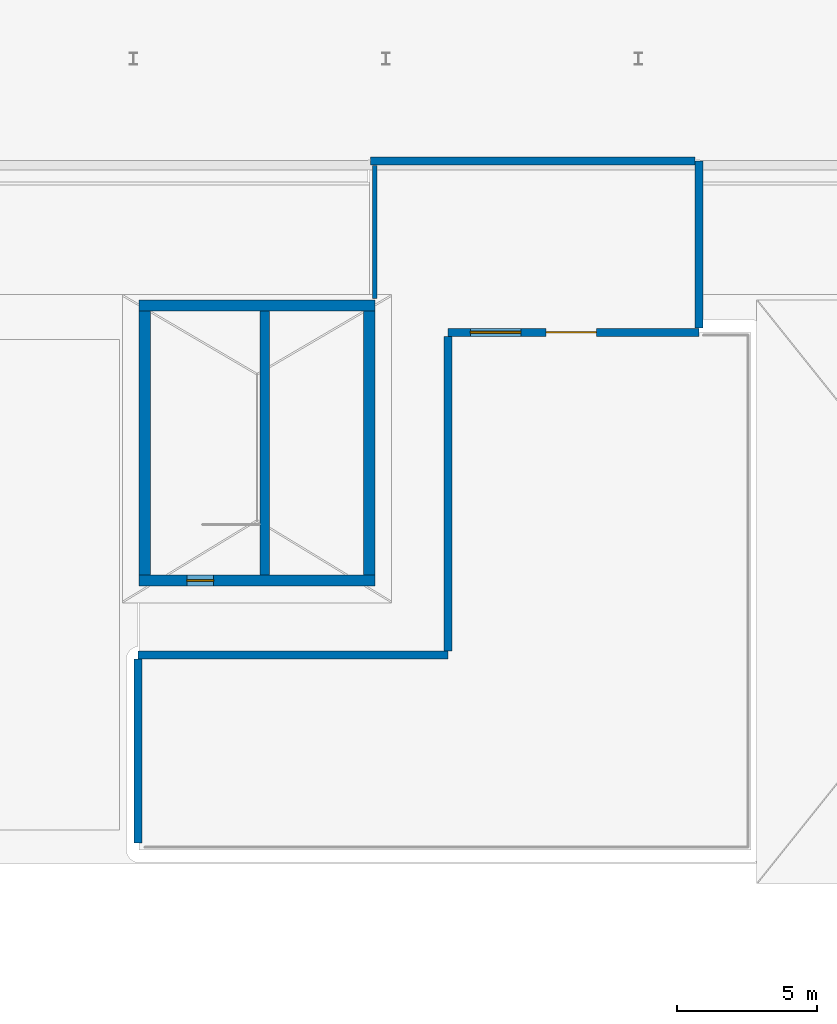
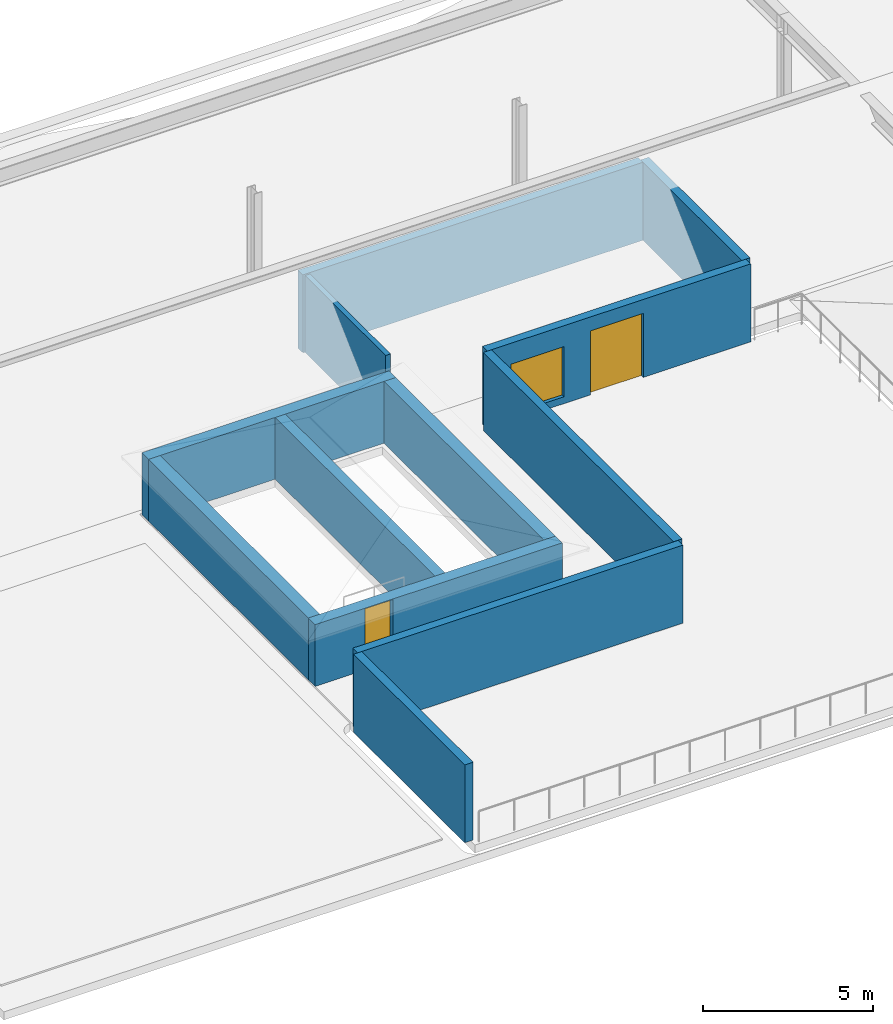
# One storey, part 22 of 34: 12 walls, 2 doors, 1 window, 3 openings.
"""IFC4 building model written with IfcOpenShell, lengths in metres."""

from ifc_helpers import new_model, si_unit, direction, frame, frame_2d, origin, place, context, subcontext, project, spatial, rectangle, extrude, material, layer, layer_set, type_object, element, fill, save


model = new_model("IFC4")

# Units and contexts
model_context = context("Model", 3, precision=1e-05, world=origin(), true_north=direction((0.0, 1.0)))
body_context = subcontext(model_context, "Body", "Model", "MODEL_VIEW")
ifc_project = project(units=[si_unit("LENGTHUNIT", "METRE"), si_unit("AREAUNIT", "SQUARE_METRE"), si_unit("VOLUMEUNIT", "CUBIC_METRE"), si_unit("PLANEANGLEUNIT", "RADIAN"), si_unit("MASSUNIT", "GRAM", prefix="KILO")], contexts=[model_context])

# Site, building, storey
site_placement = place(None, origin())
site = spatial("IfcSite", under=ifc_project, at=site_placement, CompositionType="ELEMENT")
building_placement = place(site_placement, origin())
building = spatial("IfcBuilding", under=site, at=building_placement, Name="Sollismere Congress Hotel", CompositionType="ELEMENT")
storey_placement = place(building_placement, frame((0.0, 0.0, 23.39990234375)))
storey = spatial("IfcBuildingStorey", under=building, at=storey_placement, Name="L05", CompositionType="ELEMENT", Elevation=23.39990234375)

# Wall, openings, door, window
ifc_material_1 = material(Name="Colorado Buff Sandstone Rainscreen on Insulated Backup", Category="masonry")
ifc_layer_1 = layer(ifc_material_1, 0.284912109375, Name="Colorado Buff Sandstone Rainscreen on Insulated Backup")
ifc_layer_set_1 = layer_set([ifc_layer_1], Name="Colorado Buff Sandstone Rainscreen on Insulated Backup")
wall_type_1 = type_object("IfcWallType", Name="WL-EXT285", PredefinedType="STANDARD", material=ifc_layer_set_1)
wall_1_placement = place(storey_placement, frame((87.199951171875, 85.25, 0.0), z_axis=(0.0, 0.0, 1.0), x_axis=(1.0, 0.0, 0.0)))
wall_1 = element("IfcWall", 1, at=wall_1_placement, inside=storey, type_object=wall_type_1, Name="Exterior wall EW-L05-088", PredefinedType="STANDARD", context=body_context, shape_type="SweptSolid", body=[
    extrude(rectangle(XDim=8.949951171875, YDim=0.284912109375, at=frame_2d((4.47509765625, 0.0))), origin(), (0.0, 0.0, 1.0), 2.800048828125),
])
opening_1_placement = place(wall_1_placement, frame((3.5, 0.0, 0.0)))
opening_1 = element("IfcOpeningElement", 2, at=opening_1_placement, cuts=wall_1, Name="Opening D-L05-GD2", PredefinedType="OPENING", context=body_context, shape_type="SweptSolid", body=[
    extrude(rectangle(XDim=1.800048828125, YDim=2.300048828125, at=frame_2d((0.89990234375, 1.14990234375))), frame((0.0, 0.15234375, 0.0), z_axis=(0.0, -1.0, 0.0), x_axis=(1.0, 0.0, 0.0)), (0.0, 0.0, 1.0), 0.304931640625),
])
opening_2_placement = place(wall_1_placement, frame((0.800048828125, 0.0, 0.25)))
opening_2 = element("IfcOpeningElement", 3, at=opening_2_placement, cuts=wall_1, Name="Opening W-L05-095", PredefinedType="OPENING", context=body_context, shape_type="SweptSolid", body=[
    extrude(rectangle(XDim=1.800048828125, YDim=1.800048828125, at=frame_2d((0.89990234375, 0.89990234375))), frame((0.0, 0.15234375, 0.0), z_axis=(0.0, -1.0, 0.0), x_axis=(1.0, 0.0, 0.0)), (0.0, 0.0, 1.0), 0.304931640625),
])
ifc_material_2 = material(Name="Thermally Broken Bronze-Anodized Aluminum & Laminated Glass", Category="aluminium")
door_type_1 = type_object("IfcDoorType", Name="DR-EX180", OperationType="DOUBLE_DOOR_SINGLE_SWING", PredefinedType="DOOR", material=ifc_material_2)
door_1_placement = place(opening_1_placement, origin())
door_1 = element("IfcDoor", 4, at=door_1_placement, inside=storey, type_object=door_type_1, Name="DOR-D-L05-GD2", OperationType="DOUBLE_DOOR_SINGLE_SWING", OverallHeight=2.300048828125, OverallWidth=1.800048828125, PredefinedType="DOOR", context=body_context, shape_type="SweptSolid", body=[
    extrude(rectangle(XDim=1.800048828125, YDim=2.300048828125, at=frame_2d((0.89990234375, 1.14990234375))), frame((0.0, 0.02490234375, 0.0), z_axis=(0.0, -1.0, 0.0), x_axis=(1.0, 0.0, 0.0)), (0.0, 0.0, 1.0), 0.050048828125),
])
fill(opening_1, door_1)
ifc_material_3 = material(Name="Thermally Broken Bronze Aluminum & Low-E Glass", Category="aluminium")
window_type = type_object("IfcWindowType", Name="WN-P180x180", PartitioningType="SINGLE_PANEL", PredefinedType="WINDOW", material=ifc_material_3)
window_placement = place(opening_2_placement, origin())
window = element("IfcWindow", 5, at=window_placement, inside=storey, type_object=window_type, Name="WIN-W-L05-095", OverallHeight=1.800048828125, OverallWidth=1.800048828125, PartitioningType="SINGLE_PANEL", PredefinedType="WINDOW", context=body_context, shape_type="SweptSolid", body=[
    extrude(rectangle(XDim=1.800048828125, YDim=1.800048828125, at=frame_2d((0.89990234375, 0.89990234375))), frame((0.0, 0.030029296875, 0.0), z_axis=(0.0, -1.0, 0.0), x_axis=(1.0, 0.0, 0.0)), (0.0, 0.0, 1.0), 0.06005859375),
])
fill(opening_2, window)

# Walls
wall_2_placement = place(storey_placement, frame((76.14990234375, 73.75, 0.0), z_axis=(0.0, 0.0, 1.0), x_axis=(1.0, 0.0, 0.0)))
element("IfcWall", 6, at=wall_2_placement, inside=storey, type_object=wall_type_1, Name="Exterior wall EW-L05-089", PredefinedType="STANDARD", context=body_context, shape_type="SweptSolid", body=[
    extrude(rectangle(XDim=11.050048828125, YDim=0.284912109375, at=frame_2d((5.52490234375, 0.0))), origin(), (0.0, 0.0, 1.0), 2.800048828125),
])
wall_3_placement = place(storey_placement, frame((87.199951171875, 73.89453125, 0.0), z_axis=(0.0, 0.0, 1.0), x_axis=(0.0, 1.0, 0.0)))
element("IfcWall", 7, at=wall_3_placement, inside=storey, type_object=wall_type_1, Name="Exterior wall EW-L05-090", PredefinedType="STANDARD", context=body_context, shape_type="SweptSolid", body=[
    extrude(rectangle(XDim=11.2109375, YDim=0.284912109375, at=frame_2d((5.60546875, 0.0))), origin(), (0.0, 0.0, 1.0), 2.800048828125),
])
wall_4_placement = place(storey_placement, frame((96.14990234375, 85.39453125, 0.0), z_axis=(0.0, 0.0, 1.0), x_axis=(0.0, 1.0, 0.0)))
element("IfcWall", 8, at=wall_4_placement, inside=storey, type_object=wall_type_1, Name="Exterior wall EW-L05-091", PredefinedType="STANDARD", context=body_context, shape_type="SweptSolid", body=[
    extrude(rectangle(XDim=5.95556640625, YDim=0.284912109375, at=frame_2d((2.977783203125, 0.0))), origin(), (0.0, 0.0, 1.0), 2.800048828125),
])
wall_5_placement = place(storey_placement, frame((96.005615234375, 91.35009765625, 0.0), z_axis=(0.0, 0.0, 1.0), x_axis=(-1.0, 0.0, 0.0)))
element("IfcWall", 9, at=wall_5_placement, inside=storey, type_object=wall_type_1, Name="Exterior wall EW-L05-092", PredefinedType="STANDARD", context=body_context, shape_type="SweptSolid", body=[
    extrude(rectangle(XDim=11.5556640625, YDim=0.284912109375, at=frame_2d((5.77783203125, 0.0))), origin(), (0.0, 0.0, 1.0), 2.800048828125),
])
wall_6_placement = place(storey_placement, frame((76.14990234375, 67.050048828125, 0.0), z_axis=(0.0, 0.0, 1.0), x_axis=(0.0, 1.0, 0.0)))
element("IfcWall", 10, at=wall_6_placement, inside=storey, type_object=wall_type_1, Name="Exterior wall EW-L05-093", PredefinedType="STANDARD", context=body_context, shape_type="SweptSolid", body=[
    extrude(rectangle(XDim=6.555419921875, YDim=0.284912109375, at=frame_2d((3.27783203125, 0.0))), origin(), (0.0, 0.0, 1.0), 2.800048828125),
])
ifc_material_4 = material(Name="Fire-Rated Acoustic Gypsum Partition")
ifc_layer_2 = layer(ifc_material_4, 0.1650390625, Name="Fire-Rated Acoustic Gypsum Partition")
ifc_layer_set_2 = layer_set([ifc_layer_2], Name="Fire-Rated Acoustic Gypsum Partition")
wall_type_2 = type_object("IfcWallType", Name="WL-PRT165R", PredefinedType="PARTITIONING", material=ifc_layer_set_2)
wall_7_placement = place(storey_placement, frame((84.60009765625, 86.449951171875, 0.0), z_axis=(0.0, 0.0, 1.0), x_axis=(0.0, 1.0, 0.0)))
element("IfcWall", 11, at=wall_7_placement, inside=storey, type_object=wall_type_2, Name="Interior wall IW-L05-0970", PredefinedType="PARTITIONING", context=body_context, shape_type="SweptSolid", body=[
    extrude(rectangle(XDim=4.742431640625, YDim=0.1650390625, at=frame_2d((2.37109375, 0.0))), origin(), (0.0, 0.0, 1.0), 2.76513671875),
])
ifc_material_5 = material(Name="Concrete C50/60", Category="concrete")
ifc_layer_3 = layer(ifc_material_5, 0.35009765625, Name="Concrete C50/60")
ifc_layer_set_3 = layer_set([ifc_layer_3], Name="Concrete C50/60")
wall_type_3 = type_object("IfcWallType", Name="WL-SHR350", PredefinedType="SHEAR", material=ifc_layer_set_3)
wall_8_placement = place(storey_placement, frame((80.675048828125, 76.60009765625, 0.0), z_axis=(0.0, 0.0, 1.0), x_axis=(0.0, 1.0, 0.0)))
element("IfcWall", 12, at=wall_8_placement, inside=storey, type_object=wall_type_3, Name="Interior wall IW-L05-0630", PredefinedType="SHEAR", context=body_context, shape_type="SweptSolid", body=[
    extrude(rectangle(XDim=9.39990234375, YDim=0.35009765625, at=frame_2d((4.699951171875, 0.0))), origin(), (0.0, 0.0, 1.0), 2.22021484375),
])

# Wall, opening, door
ifc_layer_4 = layer(ifc_material_5, 0.39990234375, Name="Concrete C50/60")
ifc_layer_set_4 = layer_set([ifc_layer_4], Name="Concrete C50/60")
wall_type_4 = type_object("IfcWallType", Name="WL-SHR400", PredefinedType="SHEAR", material=ifc_layer_set_4)
wall_9_placement = place(storey_placement, frame((76.199951171875, 76.39990234375, 0.0), z_axis=(0.0, 0.0, 1.0), x_axis=(1.0, 0.0, 0.0)))
wall_9 = element("IfcWall", 13, at=wall_9_placement, inside=storey, type_object=wall_type_4, Name="Interior wall IW-L05-0626", PredefinedType="SHEAR", context=body_context, shape_type="SweptSolid", body=[
    extrude(rectangle(XDim=8.400146484375, YDim=0.39990234375, at=frame_2d((4.2001953125, 0.0))), origin(), (0.0, 0.0, 1.0), 2.22021484375),
])
opening_3_placement = place(wall_9_placement, frame((1.699951171875, 0.0, 0.0)))
opening_3 = element("IfcOpeningElement", 14, at=opening_3_placement, cuts=wall_9, Name="Opening D-ST-04-L05", PredefinedType="OPENING", context=body_context, shape_type="SweptSolid", body=[
    extrude(rectangle(XDim=0.949951171875, YDim=2.199951171875, at=frame_2d((0.47509765625, 1.10009765625))), frame((0.0, 0.2099609375, 0.0), z_axis=(0.0, -1.0, 0.0), x_axis=(1.0, 0.0, 0.0)), (0.0, 0.0, 1.0), 0.419921875),
])
ifc_material_6 = material(Name="Fire-Rated Insulated Steel Door", Category="steel")
door_type_2 = type_object("IfcDoorType", Name="DR-FD90", OperationType="NOTDEFINED", PredefinedType="DOOR", material=ifc_material_6)
door_2_placement = place(opening_3_placement, origin())
door_2 = element("IfcDoor", 15, at=door_2_placement, inside=storey, type_object=door_type_2, Name="Exit stair fire door D-ST-04-L05", OperationType="SINGLE_SWING_RIGHT", OverallHeight=2.199951171875, OverallWidth=0.949951171875, PredefinedType="DOOR", context=body_context, shape_type="SweptSolid", body=[
    extrude(rectangle(XDim=0.949951171875, YDim=2.199951171875, at=frame_2d((0.47509765625, 1.10009765625))), frame((0.0, 0.02490234375, 0.0), z_axis=(0.0, -1.0, 0.0), x_axis=(1.0, 0.0, 0.0)), (0.0, 0.0, 1.0), 0.050048828125),
])
fill(opening_3, door_2)

# Walls
wall_10_placement = place(storey_placement, frame((84.60009765625, 86.199951171875, 0.0), z_axis=(0.0, 0.0, 1.0), x_axis=(-1.0, 0.0, 0.0)))
element("IfcWall", 16, at=wall_10_placement, inside=storey, type_object=wall_type_4, Name="Interior wall IW-L05-0627", PredefinedType="SHEAR", context=body_context, shape_type="SweptSolid", body=[
    extrude(rectangle(XDim=8.400146484375, YDim=0.39990234375, at=frame_2d((4.2001953125, 0.0))), origin(), (0.0, 0.0, 1.0), 2.22021484375),
])
for number, where, z_axis, x_axis, name in (
    (17, (76.39990234375, 86.0, 0.0), (0.0, 0.0, 1.0), (0.0, -1.0, 0.0), "Interior wall IW-L05-0628"),
    (18, (84.39990234375, 76.60009765625, 0.0), (0.0, 0.0, 1.0), (0.0, 1.0, 0.0), "Interior wall IW-L05-0629"),
):
    element("IfcWall", number, at=place(storey_placement, frame(where, z_axis=z_axis, x_axis=x_axis)), inside=storey, type_object=wall_type_4, Name=name, PredefinedType="SHEAR", context=body_context, shape_type="SweptSolid", body=[
        extrude(rectangle(XDim=9.39990234375, YDim=0.39990234375, at=frame_2d((4.699951171875, 0.0))), origin(), (0.0, 0.0, 1.0), 2.22021484375),
    ])

save(model, "model.ifc")
